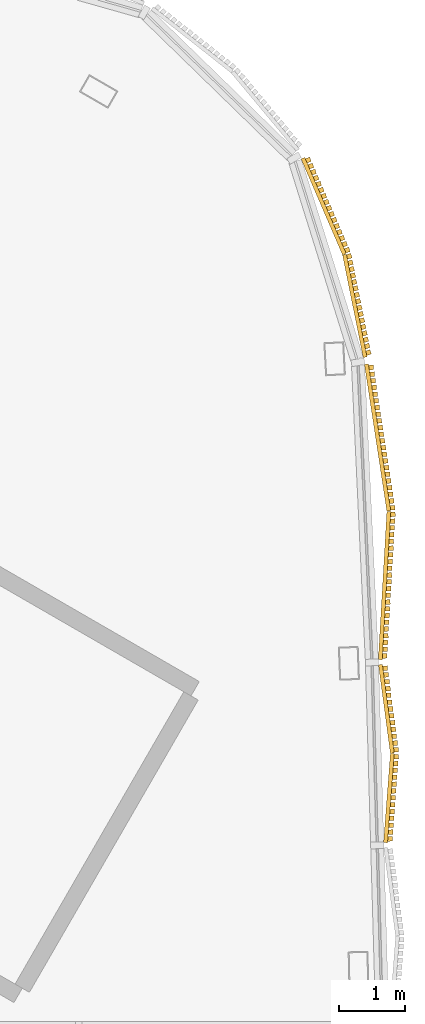
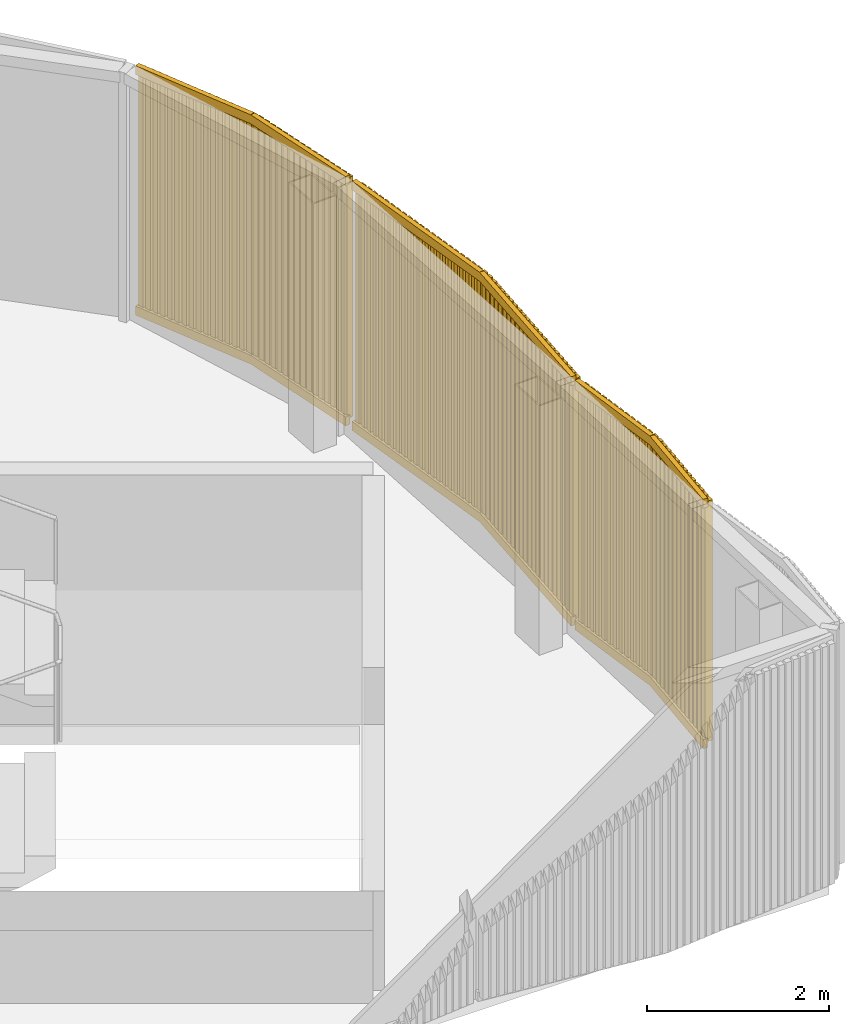
# One storey, part 15 of 16: 3 coverings.
"""IFC4 building model written with IfcOpenShell, lengths in metres."""

from ifc_helpers import new_model, si_unit, direction, frame, frame_2d, origin, place, context, subcontext, project, spatial, rectangle, extrude, source, transform, mapped, material, type_object, element, save


model = new_model("IFC4")

# Units and contexts
model_context = context("Model", 3, precision=1e-05, world=origin(), true_north=direction((0.0, 1.0)))
body_context = subcontext(model_context, "Body", "Model", "MODEL_VIEW")
ifc_project = project(units=[si_unit("LENGTHUNIT", "METRE"), si_unit("AREAUNIT", "SQUARE_METRE"), si_unit("VOLUMEUNIT", "CUBIC_METRE"), si_unit("PLANEANGLEUNIT", "RADIAN"), si_unit("MASSUNIT", "GRAM", prefix="KILO")], contexts=[model_context])

# Site, building, storey
site_placement = place(None, origin())
site = spatial("IfcSite", under=ifc_project, at=site_placement, CompositionType="ELEMENT")
building_placement = place(site_placement, origin())
building = spatial("IfcBuilding", under=site, at=building_placement, Name="Tamra Quay Hotel Tower", CompositionType="ELEMENT")
storey_placement = place(building_placement, frame((0.0, 0.0, 327.800048828125)))
storey = spatial("IfcBuildingStorey", under=building, at=storey_placement, Name="Roof crown 3", CompositionType="ELEMENT", Elevation=327.800048828125)

# Coverings
ifc_material = material(Name="Terracotta baguette extruded", Category="masonry")
covering_type = type_object("IfcCoveringType", Name="BAGUETTE SCREEN CROWN H3350", PredefinedType="USERDEFINED", material=ifc_material)
shared_shape_1 = source(origin(), body_context, "Body", "SweptSolid", [
    extrude(rectangle(XDim=2.244873046875, YDim=0.06005859375, at=frame_2d((1.12255859375, 0.030029296875))), frame((-2.23876953125, -0.0576171875, -0.1201171875), z_axis=(0.0, 0.0, 1.0), x_axis=(0.994521895368, -0.104528463268, 0.0)), (0.0, 0.0, 1.0), 0.1201171875),
    extrude(rectangle(XDim=2.244873046875, YDim=0.06005859375, at=frame_2d((1.12255859375, 0.030029296875))), frame((-2.23876953125, -0.0576171875, -3.35009765625), z_axis=(0.0, 0.0, 1.0), x_axis=(0.994521895368, -0.104528463268, 0.0)), (0.0, 0.0, 1.0), 0.1201171875),
    extrude(rectangle(XDim=0.070068359375, YDim=0.10009765625, at=frame_2d((0.03515625, 0.050048828125))), frame((-2.216796875, -0.13330078125, -3.2900390625)), (0.0, 0.0, 1.0), 3.22998046875),
    extrude(rectangle(XDim=0.070068359375, YDim=0.10009765625, at=frame_2d((0.03515625, 0.050048828125))), frame((-2.115234375, -0.14404296875, -3.2900390625)), (0.0, 0.0, 1.0), 3.22998046875),
    extrude(rectangle(XDim=0.070068359375, YDim=0.10009765625, at=frame_2d((0.03515625, 0.050048828125))), frame((-2.013916015625, -0.154541015625, -3.2900390625)), (0.0, 0.0, 1.0), 3.22998046875),
    extrude(rectangle(XDim=0.070068359375, YDim=0.10009765625, at=frame_2d((0.03515625, 0.050048828125))), frame((-1.912353515625, -0.165283203125, -3.2900390625)), (0.0, 0.0, 1.0), 3.22998046875),
    extrude(rectangle(XDim=0.070068359375, YDim=0.10009765625, at=frame_2d((0.03515625, 0.050048828125))), frame((-1.810791015625, -0.176025390625, -3.2900390625)), (0.0, 0.0, 1.0), 3.22998046875),
    extrude(rectangle(XDim=0.070068359375, YDim=0.10009765625, at=frame_2d((0.03515625, 0.050048828125))), frame((-1.70947265625, -0.186767578125, -3.2900390625)), (0.0, 0.0, 1.0), 3.22998046875),
    extrude(rectangle(XDim=0.070068359375, YDim=0.10009765625, at=frame_2d((0.03515625, 0.050048828125))), frame((-1.60791015625, -0.197265625, -3.2900390625)), (0.0, 0.0, 1.0), 3.22998046875),
    extrude(rectangle(XDim=0.070068359375, YDim=0.10009765625, at=frame_2d((0.03515625, 0.050048828125))), frame((-1.50634765625, -0.2080078125, -3.2900390625)), (0.0, 0.0, 1.0), 3.22998046875),
    extrude(rectangle(XDim=0.070068359375, YDim=0.10009765625, at=frame_2d((0.03515625, 0.050048828125))), frame((-1.405029296875, -0.21875, -3.2900390625)), (0.0, 0.0, 1.0), 3.22998046875),
    extrude(rectangle(XDim=0.070068359375, YDim=0.10009765625, at=frame_2d((0.03515625, 0.050048828125))), frame((-1.303466796875, -0.229248046875, -3.2900390625)), (0.0, 0.0, 1.0), 3.22998046875),
    extrude(rectangle(XDim=0.070068359375, YDim=0.10009765625, at=frame_2d((0.03515625, 0.050048828125))), frame((-1.201904296875, -0.239990234375, -3.2900390625)), (0.0, 0.0, 1.0), 3.22998046875),
    extrude(rectangle(XDim=0.070068359375, YDim=0.10009765625, at=frame_2d((0.03515625, 0.050048828125))), frame((-1.1005859375, -0.250732421875, -3.2900390625)), (0.0, 0.0, 1.0), 3.22998046875),
    extrude(rectangle(XDim=0.070068359375, YDim=0.10009765625, at=frame_2d((0.03515625, 0.050048828125))), frame((-0.9990234375, -0.26123046875, -3.2900390625)), (0.0, 0.0, 1.0), 3.22998046875),
    extrude(rectangle(XDim=0.070068359375, YDim=0.10009765625, at=frame_2d((0.03515625, 0.050048828125))), frame((-0.8974609375, -0.27197265625, -3.2900390625)), (0.0, 0.0, 1.0), 3.22998046875),
    extrude(rectangle(XDim=0.070068359375, YDim=0.10009765625, at=frame_2d((0.03515625, 0.050048828125))), frame((-0.796142578125, -0.28271484375, -3.2900390625)), (0.0, 0.0, 1.0), 3.22998046875),
    extrude(rectangle(XDim=0.070068359375, YDim=0.10009765625, at=frame_2d((0.03515625, 0.050048828125))), frame((-0.694580078125, -0.293212890625, -3.2900390625)), (0.0, 0.0, 1.0), 3.22998046875),
    extrude(rectangle(XDim=0.070068359375, YDim=0.10009765625, at=frame_2d((0.03515625, 0.050048828125))), frame((-0.593017578125, -0.303955078125, -3.2900390625)), (0.0, 0.0, 1.0), 3.22998046875),
    extrude(rectangle(XDim=0.070068359375, YDim=0.10009765625, at=frame_2d((0.03515625, 0.050048828125))), frame((-0.49169921875, -0.314697265625, -3.2900390625)), (0.0, 0.0, 1.0), 3.22998046875),
    extrude(rectangle(XDim=0.070068359375, YDim=0.10009765625, at=frame_2d((0.03515625, 0.050048828125))), frame((-0.39013671875, -0.325439453125, -3.2900390625)), (0.0, 0.0, 1.0), 3.22998046875),
    extrude(rectangle(XDim=0.070068359375, YDim=0.10009765625, at=frame_2d((0.03515625, 0.050048828125))), frame((-0.28857421875, -0.3359375, -3.2900390625)), (0.0, 0.0, 1.0), 3.22998046875),
    extrude(rectangle(XDim=0.070068359375, YDim=0.10009765625, at=frame_2d((0.03515625, 0.050048828125))), frame((-0.187255859375, -0.3466796875, -3.2900390625)), (0.0, 0.0, 1.0), 3.22998046875),
    extrude(rectangle(XDim=0.070068359375, YDim=0.10009765625, at=frame_2d((0.03515625, 0.050048828125))), frame((-0.085693359375, -0.357421875, -3.2900390625)), (0.0, 0.0, 1.0), 3.22998046875),
    extrude(rectangle(XDim=2.244873046875, YDim=0.06005859375, at=frame_2d((1.12255859375, 0.030029296875))), frame((0.00634765625, -0.292236328125, -0.1201171875), z_axis=(0.0, 0.0, 1.0), x_axis=(0.994521895368, 0.104528463268, 0.0)), (0.0, 0.0, 1.0), 0.1201171875),
    extrude(rectangle(XDim=2.244873046875, YDim=0.06005859375, at=frame_2d((1.12255859375, 0.030029296875))), frame((0.00634765625, -0.292236328125, -3.35009765625), z_axis=(0.0, 0.0, 1.0), x_axis=(0.994521895368, 0.104528463268, 0.0)), (0.0, 0.0, 1.0), 0.1201171875),
    extrude(rectangle(XDim=0.070068359375, YDim=0.10009765625, at=frame_2d((0.03515625, 0.050048828125))), frame((0.015625, -0.357421875, -3.2900390625)), (0.0, 0.0, 1.0), 3.22998046875),
    extrude(rectangle(XDim=0.070068359375, YDim=0.10009765625, at=frame_2d((0.03515625, 0.050048828125))), frame((0.1171875, -0.3466796875, -3.2900390625)), (0.0, 0.0, 1.0), 3.22998046875),
    extrude(rectangle(XDim=0.070068359375, YDim=0.10009765625, at=frame_2d((0.03515625, 0.050048828125))), frame((0.21875, -0.3359375, -3.2900390625)), (0.0, 0.0, 1.0), 3.22998046875),
    extrude(rectangle(XDim=0.070068359375, YDim=0.10009765625, at=frame_2d((0.03515625, 0.050048828125))), frame((0.320068359375, -0.325439453125, -3.2900390625)), (0.0, 0.0, 1.0), 3.22998046875),
    extrude(rectangle(XDim=0.070068359375, YDim=0.10009765625, at=frame_2d((0.03515625, 0.050048828125))), frame((0.421630859375, -0.314697265625, -3.2900390625)), (0.0, 0.0, 1.0), 3.22998046875),
    extrude(rectangle(XDim=0.070068359375, YDim=0.10009765625, at=frame_2d((0.03515625, 0.050048828125))), frame((0.523193359375, -0.303955078125, -3.2900390625)), (0.0, 0.0, 1.0), 3.22998046875),
    extrude(rectangle(XDim=0.070068359375, YDim=0.10009765625, at=frame_2d((0.03515625, 0.050048828125))), frame((0.62451171875, -0.293212890625, -3.2900390625)), (0.0, 0.0, 1.0), 3.22998046875),
    extrude(rectangle(XDim=0.070068359375, YDim=0.10009765625, at=frame_2d((0.03515625, 0.050048828125))), frame((0.72607421875, -0.28271484375, -3.2900390625)), (0.0, 0.0, 1.0), 3.22998046875),
    extrude(rectangle(XDim=0.070068359375, YDim=0.10009765625, at=frame_2d((0.03515625, 0.050048828125))), frame((0.82763671875, -0.27197265625, -3.2900390625)), (0.0, 0.0, 1.0), 3.22998046875),
    extrude(rectangle(XDim=0.070068359375, YDim=0.10009765625, at=frame_2d((0.03515625, 0.050048828125))), frame((0.928955078125, -0.26123046875, -3.2900390625)), (0.0, 0.0, 1.0), 3.22998046875),
    extrude(rectangle(XDim=0.070068359375, YDim=0.10009765625, at=frame_2d((0.03515625, 0.050048828125))), frame((1.030517578125, -0.250732421875, -3.2900390625)), (0.0, 0.0, 1.0), 3.22998046875),
    extrude(rectangle(XDim=0.070068359375, YDim=0.10009765625, at=frame_2d((0.03515625, 0.050048828125))), frame((1.132080078125, -0.239990234375, -3.2900390625)), (0.0, 0.0, 1.0), 3.22998046875),
    extrude(rectangle(XDim=0.070068359375, YDim=0.10009765625, at=frame_2d((0.03515625, 0.050048828125))), frame((1.2333984375, -0.229248046875, -3.2900390625)), (0.0, 0.0, 1.0), 3.22998046875),
    extrude(rectangle(XDim=0.070068359375, YDim=0.10009765625, at=frame_2d((0.03515625, 0.050048828125))), frame((1.3349609375, -0.21875, -3.2900390625)), (0.0, 0.0, 1.0), 3.22998046875),
    extrude(rectangle(XDim=0.070068359375, YDim=0.10009765625, at=frame_2d((0.03515625, 0.050048828125))), frame((1.4365234375, -0.2080078125, -3.2900390625)), (0.0, 0.0, 1.0), 3.22998046875),
    extrude(rectangle(XDim=0.070068359375, YDim=0.10009765625, at=frame_2d((0.03515625, 0.050048828125))), frame((1.537841796875, -0.197265625, -3.2900390625)), (0.0, 0.0, 1.0), 3.22998046875),
    extrude(rectangle(XDim=0.070068359375, YDim=0.10009765625, at=frame_2d((0.03515625, 0.050048828125))), frame((1.639404296875, -0.186767578125, -3.2900390625)), (0.0, 0.0, 1.0), 3.22998046875),
    extrude(rectangle(XDim=0.070068359375, YDim=0.10009765625, at=frame_2d((0.03515625, 0.050048828125))), frame((1.740966796875, -0.176025390625, -3.2900390625)), (0.0, 0.0, 1.0), 3.22998046875),
    extrude(rectangle(XDim=0.070068359375, YDim=0.10009765625, at=frame_2d((0.03515625, 0.050048828125))), frame((1.84228515625, -0.165283203125, -3.2900390625)), (0.0, 0.0, 1.0), 3.22998046875),
    extrude(rectangle(XDim=0.070068359375, YDim=0.10009765625, at=frame_2d((0.03515625, 0.050048828125))), frame((1.94384765625, -0.154541015625, -3.2900390625)), (0.0, 0.0, 1.0), 3.22998046875),
    extrude(rectangle(XDim=0.070068359375, YDim=0.10009765625, at=frame_2d((0.03515625, 0.050048828125))), frame((2.045166015625, -0.14404296875, -3.2900390625)), (0.0, 0.0, 1.0), 3.22998046875),
    extrude(rectangle(XDim=0.070068359375, YDim=0.10009765625, at=frame_2d((0.03515625, 0.050048828125))), frame((2.146728515625, -0.13330078125, -3.2900390625)), (0.0, 0.0, 1.0), 3.22998046875),
])
covering_1_placement = place(storey_placement, frame((15.759521484375, 13.80078125, 3.349853515625), z_axis=(0.0, 0.0, 1.0), x_axis=(-0.046821305973, 0.998903281257, 0.0)))
element("IfcCovering", 1, at=covering_1_placement, inside=storey, type_object=covering_type, Name="Baguette screen Roof crown 3.A.f00", ObjectType="BAGUETTE SCREEN", PredefinedType="USERDEFINED", context=body_context, shape_type="MappedRepresentation", body=[
    mapped(shared_shape_1, transform((0.0, 0.0, 0.0), scale=1.0)),
])
shared_shape_2 = source(origin(), body_context, "Body", "SweptSolid", [
    extrude(rectangle(XDim=1.5810546875, YDim=0.06005859375, at=frame_2d((0.79052734375, 0.030029296875))), frame((-1.578857421875, -0.0576171875, -0.1201171875), z_axis=(0.0, 0.0, 1.0), x_axis=(0.994521895368, -0.104528463268, 0.0)), (0.0, 0.0, 1.0), 0.1201171875),
    extrude(rectangle(XDim=1.5810546875, YDim=0.06005859375, at=frame_2d((0.79052734375, 0.030029296875))), frame((-1.578857421875, -0.0576171875, -3.35009765625), z_axis=(0.0, 0.0, 1.0), x_axis=(0.994521895368, -0.104528463268, 0.0)), (0.0, 0.0, 1.0), 0.1201171875),
    extrude(rectangle(XDim=0.070068359375, YDim=0.10009765625, at=frame_2d((0.03515625, 0.050048828125))), frame((-1.558349609375, -0.133056640625, -3.2900390625)), (0.0, 0.0, 1.0), 3.22998046875),
    extrude(rectangle(XDim=0.070068359375, YDim=0.10009765625, at=frame_2d((0.03515625, 0.050048828125))), frame((-1.4599609375, -0.1435546875, -3.2900390625)), (0.0, 0.0, 1.0), 3.22998046875),
    extrude(rectangle(XDim=0.070068359375, YDim=0.10009765625, at=frame_2d((0.03515625, 0.050048828125))), frame((-1.36181640625, -0.15380859375, -3.2900390625)), (0.0, 0.0, 1.0), 3.22998046875),
    extrude(rectangle(XDim=0.070068359375, YDim=0.10009765625, at=frame_2d((0.03515625, 0.050048828125))), frame((-1.263427734375, -0.1640625, -3.2900390625)), (0.0, 0.0, 1.0), 3.22998046875),
    extrude(rectangle(XDim=0.070068359375, YDim=0.10009765625, at=frame_2d((0.03515625, 0.050048828125))), frame((-1.165283203125, -0.174560546875, -3.2900390625)), (0.0, 0.0, 1.0), 3.22998046875),
    extrude(rectangle(XDim=0.070068359375, YDim=0.10009765625, at=frame_2d((0.03515625, 0.050048828125))), frame((-1.06689453125, -0.184814453125, -3.2900390625)), (0.0, 0.0, 1.0), 3.22998046875),
    extrude(rectangle(XDim=0.070068359375, YDim=0.10009765625, at=frame_2d((0.03515625, 0.050048828125))), frame((-0.96875, -0.195068359375, -3.2900390625)), (0.0, 0.0, 1.0), 3.22998046875),
    extrude(rectangle(XDim=0.070068359375, YDim=0.10009765625, at=frame_2d((0.03515625, 0.050048828125))), frame((-0.870361328125, -0.20556640625, -3.2900390625)), (0.0, 0.0, 1.0), 3.22998046875),
    extrude(rectangle(XDim=0.070068359375, YDim=0.10009765625, at=frame_2d((0.03515625, 0.050048828125))), frame((-0.772216796875, -0.2158203125, -3.2900390625)), (0.0, 0.0, 1.0), 3.22998046875),
    extrude(rectangle(XDim=0.070068359375, YDim=0.10009765625, at=frame_2d((0.03515625, 0.050048828125))), frame((-0.673828125, -0.22607421875, -3.2900390625)), (0.0, 0.0, 1.0), 3.22998046875),
    extrude(rectangle(XDim=0.070068359375, YDim=0.10009765625, at=frame_2d((0.03515625, 0.050048828125))), frame((-0.575439453125, -0.236572265625, -3.2900390625)), (0.0, 0.0, 1.0), 3.22998046875),
    extrude(rectangle(XDim=0.070068359375, YDim=0.10009765625, at=frame_2d((0.03515625, 0.050048828125))), frame((-0.477294921875, -0.246826171875, -3.2900390625)), (0.0, 0.0, 1.0), 3.22998046875),
    extrude(rectangle(XDim=0.070068359375, YDim=0.10009765625, at=frame_2d((0.03515625, 0.050048828125))), frame((-0.37890625, -0.257080078125, -3.2900390625)), (0.0, 0.0, 1.0), 3.22998046875),
    extrude(rectangle(XDim=0.070068359375, YDim=0.10009765625, at=frame_2d((0.03515625, 0.050048828125))), frame((-0.28076171875, -0.267333984375, -3.2900390625)), (0.0, 0.0, 1.0), 3.22998046875),
    extrude(rectangle(XDim=0.070068359375, YDim=0.10009765625, at=frame_2d((0.03515625, 0.050048828125))), frame((-0.182373046875, -0.27783203125, -3.2900390625)), (0.0, 0.0, 1.0), 3.22998046875),
    extrude(rectangle(XDim=0.070068359375, YDim=0.10009765625, at=frame_2d((0.03515625, 0.050048828125))), frame((-0.084228515625, -0.2880859375, -3.2900390625)), (0.0, 0.0, 1.0), 3.22998046875),
    extrude(rectangle(XDim=1.5810546875, YDim=0.06005859375, at=frame_2d((0.79052734375, 0.030029296875))), frame((0.00634765625, -0.222900390625, -0.1201171875), z_axis=(0.0, 0.0, 1.0), x_axis=(0.994521895368, 0.104528463268, 0.0)), (0.0, 0.0, 1.0), 0.1201171875),
    extrude(rectangle(XDim=1.5810546875, YDim=0.06005859375, at=frame_2d((0.79052734375, 0.030029296875))), frame((0.00634765625, -0.222900390625, -3.35009765625), z_axis=(0.0, 0.0, 1.0), x_axis=(0.994521895368, 0.104528463268, 0.0)), (0.0, 0.0, 1.0), 0.1201171875),
    extrude(rectangle(XDim=0.070068359375, YDim=0.10009765625, at=frame_2d((0.03515625, 0.050048828125))), frame((0.01416015625, -0.2880859375, -3.2900390625)), (0.0, 0.0, 1.0), 3.22998046875),
    extrude(rectangle(XDim=0.070068359375, YDim=0.10009765625, at=frame_2d((0.03515625, 0.050048828125))), frame((0.1123046875, -0.27783203125, -3.2900390625)), (0.0, 0.0, 1.0), 3.22998046875),
    extrude(rectangle(XDim=0.070068359375, YDim=0.10009765625, at=frame_2d((0.03515625, 0.050048828125))), frame((0.210693359375, -0.267333984375, -3.2900390625)), (0.0, 0.0, 1.0), 3.22998046875),
    extrude(rectangle(XDim=0.070068359375, YDim=0.10009765625, at=frame_2d((0.03515625, 0.050048828125))), frame((0.30908203125, -0.257080078125, -3.2900390625)), (0.0, 0.0, 1.0), 3.22998046875),
    extrude(rectangle(XDim=0.070068359375, YDim=0.10009765625, at=frame_2d((0.03515625, 0.050048828125))), frame((0.4072265625, -0.246826171875, -3.2900390625)), (0.0, 0.0, 1.0), 3.22998046875),
    extrude(rectangle(XDim=0.070068359375, YDim=0.10009765625, at=frame_2d((0.03515625, 0.050048828125))), frame((0.505615234375, -0.236572265625, -3.2900390625)), (0.0, 0.0, 1.0), 3.22998046875),
    extrude(rectangle(XDim=0.070068359375, YDim=0.10009765625, at=frame_2d((0.03515625, 0.050048828125))), frame((0.603759765625, -0.22607421875, -3.2900390625)), (0.0, 0.0, 1.0), 3.22998046875),
    extrude(rectangle(XDim=0.070068359375, YDim=0.10009765625, at=frame_2d((0.03515625, 0.050048828125))), frame((0.7021484375, -0.2158203125, -3.2900390625)), (0.0, 0.0, 1.0), 3.22998046875),
    extrude(rectangle(XDim=0.070068359375, YDim=0.10009765625, at=frame_2d((0.03515625, 0.050048828125))), frame((0.80029296875, -0.20556640625, -3.2900390625)), (0.0, 0.0, 1.0), 3.22998046875),
    extrude(rectangle(XDim=0.070068359375, YDim=0.10009765625, at=frame_2d((0.03515625, 0.050048828125))), frame((0.898681640625, -0.195068359375, -3.2900390625)), (0.0, 0.0, 1.0), 3.22998046875),
    extrude(rectangle(XDim=0.070068359375, YDim=0.10009765625, at=frame_2d((0.03515625, 0.050048828125))), frame((0.9970703125, -0.184814453125, -3.2900390625)), (0.0, 0.0, 1.0), 3.22998046875),
    extrude(rectangle(XDim=0.070068359375, YDim=0.10009765625, at=frame_2d((0.03515625, 0.050048828125))), frame((1.09521484375, -0.174560546875, -3.2900390625)), (0.0, 0.0, 1.0), 3.22998046875),
    extrude(rectangle(XDim=0.070068359375, YDim=0.10009765625, at=frame_2d((0.03515625, 0.050048828125))), frame((1.193603515625, -0.1640625, -3.2900390625)), (0.0, 0.0, 1.0), 3.22998046875),
    extrude(rectangle(XDim=0.070068359375, YDim=0.10009765625, at=frame_2d((0.03515625, 0.050048828125))), frame((1.291748046875, -0.15380859375, -3.2900390625)), (0.0, 0.0, 1.0), 3.22998046875),
    extrude(rectangle(XDim=0.070068359375, YDim=0.10009765625, at=frame_2d((0.03515625, 0.050048828125))), frame((1.39013671875, -0.1435546875, -3.2900390625)), (0.0, 0.0, 1.0), 3.22998046875),
    extrude(rectangle(XDim=0.070068359375, YDim=0.10009765625, at=frame_2d((0.03515625, 0.050048828125))), frame((1.48828125, -0.133056640625, -3.2900390625)), (0.0, 0.0, 1.0), 3.22998046875),
])
covering_2_placement = place(storey_placement, frame((15.16650390625, 17.6357421875, 3.349853515625), z_axis=(0.0, 0.0, 1.0), x_axis=(-0.29839239288, 0.954443282689, 0.0)))
element("IfcCovering", 2, at=covering_2_placement, inside=storey, type_object=covering_type, Name="Baguette screen Roof crown 3.A.f01", ObjectType="BAGUETTE SCREEN", PredefinedType="USERDEFINED", context=body_context, shape_type="MappedRepresentation", body=[
    mapped(shared_shape_2, transform((0.0, 0.0, 0.0), scale=1.0)),
])
shared_shape_3 = source(origin(), body_context, "Body", "SweptSolid", [
    extrude(rectangle(XDim=1.349853515625, YDim=0.06005859375, at=frame_2d((0.6748046875, 0.030029296875))), frame((-1.348876953125, -0.0576171875, -0.1201171875), z_axis=(0.0, 0.0, 1.0), x_axis=(0.994521895368, -0.104528463268, 0.0)), (0.0, 0.0, 1.0), 0.1201171875),
    extrude(rectangle(XDim=1.349853515625, YDim=0.06005859375, at=frame_2d((0.6748046875, 0.030029296875))), frame((-1.348876953125, -0.0576171875, -3.35009765625), z_axis=(0.0, 0.0, 1.0), x_axis=(0.994521895368, -0.104528463268, 0.0)), (0.0, 0.0, 1.0), 0.1201171875),
    extrude(rectangle(XDim=0.070068359375, YDim=0.10009765625, at=frame_2d((0.03515625, 0.050048828125))), frame((-1.325927734375, -0.133544921875, -3.2900390625)), (0.0, 0.0, 1.0), 3.22998046875),
    extrude(rectangle(XDim=0.070068359375, YDim=0.10009765625, at=frame_2d((0.03515625, 0.050048828125))), frame((-1.22265625, -0.144287109375, -3.2900390625)), (0.0, 0.0, 1.0), 3.22998046875),
    extrude(rectangle(XDim=0.070068359375, YDim=0.10009765625, at=frame_2d((0.03515625, 0.050048828125))), frame((-1.119384765625, -0.155029296875, -3.2900390625)), (0.0, 0.0, 1.0), 3.22998046875),
    extrude(rectangle(XDim=0.070068359375, YDim=0.10009765625, at=frame_2d((0.03515625, 0.050048828125))), frame((-1.01611328125, -0.166015625, -3.2900390625)), (0.0, 0.0, 1.0), 3.22998046875),
    extrude(rectangle(XDim=0.070068359375, YDim=0.10009765625, at=frame_2d((0.03515625, 0.050048828125))), frame((-0.912841796875, -0.1767578125, -3.2900390625)), (0.0, 0.0, 1.0), 3.22998046875),
    extrude(rectangle(XDim=0.070068359375, YDim=0.10009765625, at=frame_2d((0.03515625, 0.050048828125))), frame((-0.8095703125, -0.187744140625, -3.2900390625)), (0.0, 0.0, 1.0), 3.22998046875),
    extrude(rectangle(XDim=0.070068359375, YDim=0.10009765625, at=frame_2d((0.03515625, 0.050048828125))), frame((-0.706298828125, -0.198486328125, -3.2900390625)), (0.0, 0.0, 1.0), 3.22998046875),
    extrude(rectangle(XDim=0.070068359375, YDim=0.10009765625, at=frame_2d((0.03515625, 0.050048828125))), frame((-0.60302734375, -0.20947265625, -3.2900390625)), (0.0, 0.0, 1.0), 3.22998046875),
    extrude(rectangle(XDim=0.070068359375, YDim=0.10009765625, at=frame_2d((0.03515625, 0.050048828125))), frame((-0.499755859375, -0.22021484375, -3.2900390625)), (0.0, 0.0, 1.0), 3.22998046875),
    extrude(rectangle(XDim=0.070068359375, YDim=0.10009765625, at=frame_2d((0.03515625, 0.050048828125))), frame((-0.396484375, -0.231201171875, -3.2900390625)), (0.0, 0.0, 1.0), 3.22998046875),
    extrude(rectangle(XDim=0.070068359375, YDim=0.10009765625, at=frame_2d((0.03515625, 0.050048828125))), frame((-0.293212890625, -0.241943359375, -3.2900390625)), (0.0, 0.0, 1.0), 3.22998046875),
    extrude(rectangle(XDim=0.070068359375, YDim=0.10009765625, at=frame_2d((0.03515625, 0.050048828125))), frame((-0.18994140625, -0.2529296875, -3.2900390625)), (0.0, 0.0, 1.0), 3.22998046875),
    extrude(rectangle(XDim=0.070068359375, YDim=0.10009765625, at=frame_2d((0.03515625, 0.050048828125))), frame((-0.086669921875, -0.263671875, -3.2900390625)), (0.0, 0.0, 1.0), 3.22998046875),
    extrude(rectangle(XDim=1.349853515625, YDim=0.06005859375, at=frame_2d((0.6748046875, 0.030029296875))), frame((0.00634765625, -0.19873046875, -0.1201171875), z_axis=(0.0, 0.0, 1.0), x_axis=(0.994521895368, 0.104528463268, 0.0)), (0.0, 0.0, 1.0), 0.1201171875),
    extrude(rectangle(XDim=1.349853515625, YDim=0.06005859375, at=frame_2d((0.6748046875, 0.030029296875))), frame((0.00634765625, -0.19873046875, -3.35009765625), z_axis=(0.0, 0.0, 1.0), x_axis=(0.994521895368, 0.104528463268, 0.0)), (0.0, 0.0, 1.0), 0.1201171875),
    extrude(rectangle(XDim=0.070068359375, YDim=0.10009765625, at=frame_2d((0.03515625, 0.050048828125))), frame((0.0166015625, -0.263671875, -3.2900390625)), (0.0, 0.0, 1.0), 3.22998046875),
    extrude(rectangle(XDim=0.070068359375, YDim=0.10009765625, at=frame_2d((0.03515625, 0.050048828125))), frame((0.119873046875, -0.2529296875, -3.2900390625)), (0.0, 0.0, 1.0), 3.22998046875),
    extrude(rectangle(XDim=0.070068359375, YDim=0.10009765625, at=frame_2d((0.03515625, 0.050048828125))), frame((0.22314453125, -0.241943359375, -3.2900390625)), (0.0, 0.0, 1.0), 3.22998046875),
    extrude(rectangle(XDim=0.070068359375, YDim=0.10009765625, at=frame_2d((0.03515625, 0.050048828125))), frame((0.326416015625, -0.231201171875, -3.2900390625)), (0.0, 0.0, 1.0), 3.22998046875),
    extrude(rectangle(XDim=0.070068359375, YDim=0.10009765625, at=frame_2d((0.03515625, 0.050048828125))), frame((0.4296875, -0.22021484375, -3.2900390625)), (0.0, 0.0, 1.0), 3.22998046875),
    extrude(rectangle(XDim=0.070068359375, YDim=0.10009765625, at=frame_2d((0.03515625, 0.050048828125))), frame((0.532958984375, -0.20947265625, -3.2900390625)), (0.0, 0.0, 1.0), 3.22998046875),
    extrude(rectangle(XDim=0.070068359375, YDim=0.10009765625, at=frame_2d((0.03515625, 0.050048828125))), frame((0.63623046875, -0.198486328125, -3.2900390625)), (0.0, 0.0, 1.0), 3.22998046875),
    extrude(rectangle(XDim=0.070068359375, YDim=0.10009765625, at=frame_2d((0.03515625, 0.050048828125))), frame((0.739501953125, -0.187744140625, -3.2900390625)), (0.0, 0.0, 1.0), 3.22998046875),
    extrude(rectangle(XDim=0.070068359375, YDim=0.10009765625, at=frame_2d((0.03515625, 0.050048828125))), frame((0.8427734375, -0.1767578125, -3.2900390625)), (0.0, 0.0, 1.0), 3.22998046875),
    extrude(rectangle(XDim=0.070068359375, YDim=0.10009765625, at=frame_2d((0.03515625, 0.050048828125))), frame((0.946044921875, -0.166015625, -3.2900390625)), (0.0, 0.0, 1.0), 3.22998046875),
    extrude(rectangle(XDim=0.070068359375, YDim=0.10009765625, at=frame_2d((0.03515625, 0.050048828125))), frame((1.04931640625, -0.155029296875, -3.2900390625)), (0.0, 0.0, 1.0), 3.22998046875),
    extrude(rectangle(XDim=0.070068359375, YDim=0.10009765625, at=frame_2d((0.03515625, 0.050048828125))), frame((1.152587890625, -0.144287109375, -3.2900390625)), (0.0, 0.0, 1.0), 3.22998046875),
    extrude(rectangle(XDim=0.070068359375, YDim=0.10009765625, at=frame_2d((0.03515625, 0.050048828125))), frame((1.255859375, -0.133544921875, -3.2900390625)), (0.0, 0.0, 1.0), 3.22998046875),
])
covering_3_placement = place(storey_placement, frame((15.905517578125, 10.149169921875, 3.349853515625), z_axis=(0.0, 0.0, 1.0), x_axis=(-0.028649831581, 0.999589509324, 0.0)))
element("IfcCovering", 3, at=covering_3_placement, inside=storey, type_object=covering_type, Name="Baguette screen Roof crown 3.A.f21", ObjectType="BAGUETTE SCREEN", PredefinedType="USERDEFINED", context=body_context, shape_type="MappedRepresentation", body=[
    mapped(shared_shape_3, transform((0.0, 0.0, 0.0), scale=1.0)),
])

save(model, "model.ifc")
